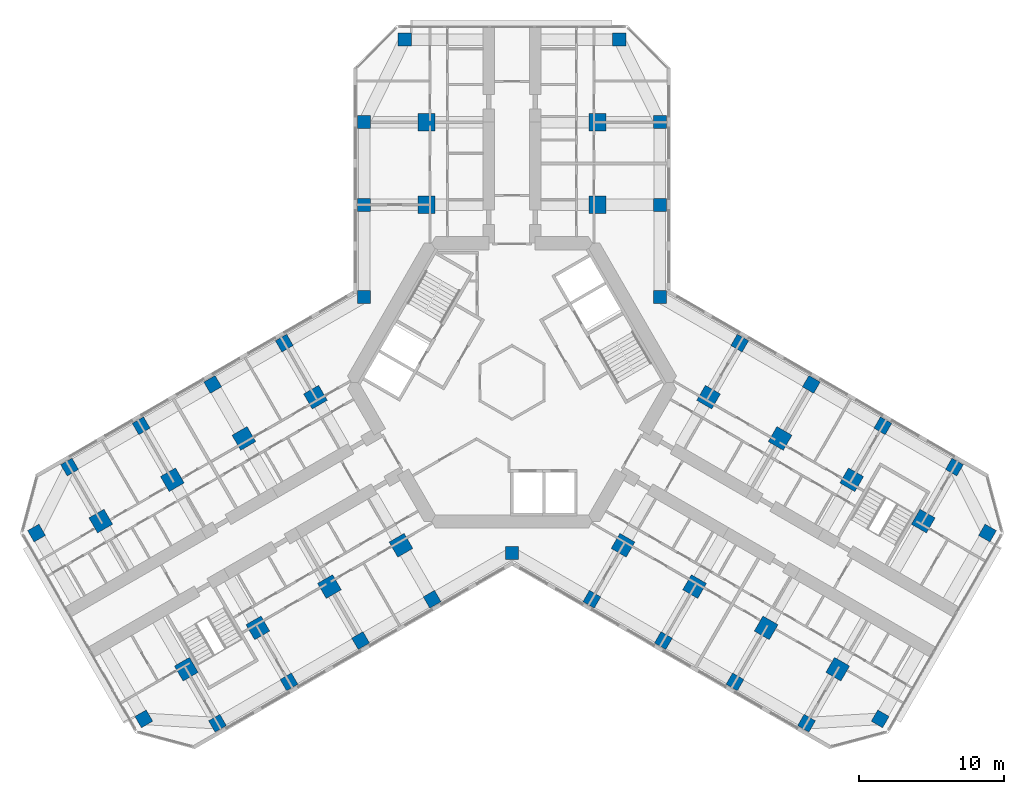
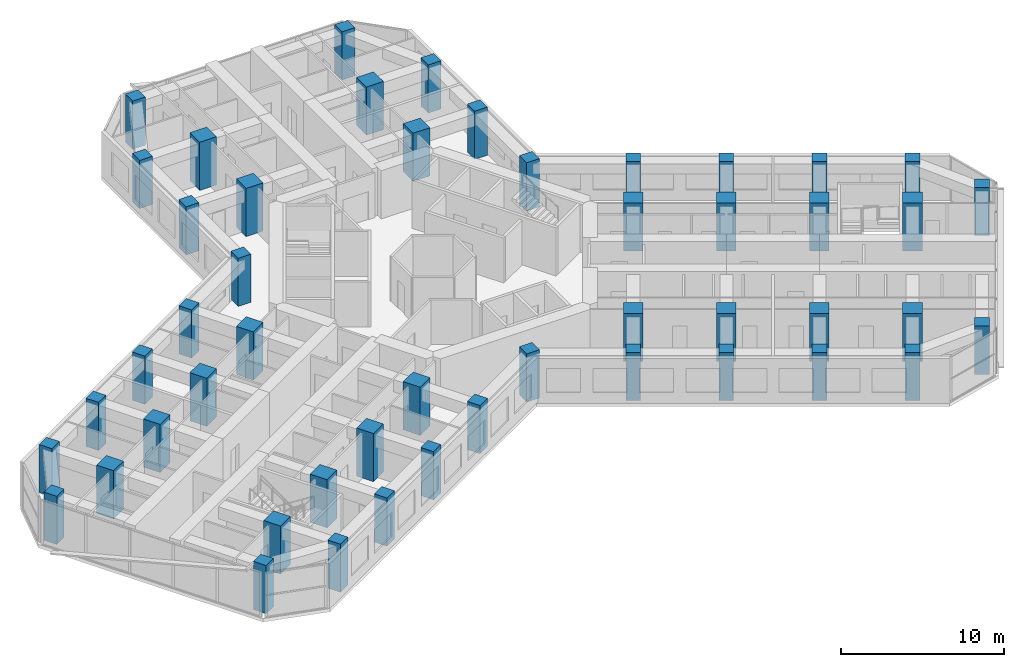
# One storey, part 1 of 20: 49 columns.
"""IFC4 building model written with IfcOpenShell, lengths in metres."""

from ifc_helpers import new_model, si_unit, direction, frame, origin, origin_2d, place, context, subcontext, project, spatial, rectangle, extrude, material, material_profile, profile_set, type_object, element, save


model = new_model("IFC4")

# Units and contexts
model_context = context("Model", 3, precision=1e-05, world=origin(), true_north=direction((0.0, 1.0)))
body_context = subcontext(model_context, "Body", "Model", "MODEL_VIEW")
ifc_project = project(units=[si_unit("LENGTHUNIT", "METRE"), si_unit("AREAUNIT", "SQUARE_METRE"), si_unit("VOLUMEUNIT", "CUBIC_METRE"), si_unit("PLANEANGLEUNIT", "RADIAN"), si_unit("MASSUNIT", "GRAM", prefix="KILO")], contexts=[model_context])

# Site, building, storey
site_placement = place(None, origin())
site = spatial("IfcSite", under=ifc_project, at=site_placement, CompositionType="ELEMENT")
building_placement = place(site_placement, origin())
building = spatial("IfcBuilding", under=site, at=building_placement, Name="Kosmar Iwan School Tower", CompositionType="ELEMENT")
storey_placement = place(building_placement, frame((0.0, 0.0, 131.0)))
storey = spatial("IfcBuildingStorey", under=building, at=storey_placement, Name="L32", CompositionType="ELEMENT", Elevation=131.0)

# Columns
ifc_material_1 = material(Name="Concrete C50/60", Category="concrete")
ifc_material_profile_1 = material_profile(ifc_material_1, rectangle(XDim=0.89990234375, YDim=0.89990234375, at=origin_2d()), Name="RC 900x900 + HD 400x634")
ifc_profile_set_1 = profile_set([ifc_material_profile_1], Name="Concrete C50/60")
column_type_1 = type_object("IfcColumnType", Name="Composite column 900x900 HD 400x634", PredefinedType="COLUMN", material=ifc_profile_set_1)
for number, where, z_axis, x_axis, name in (
    (1, (-10.199951171875, 12.25, 0.0), (0.0, 0.0, 1.0), (0.0, 1.0, 0.0), "Column AL1 L32"),
    (2, (-10.199951171875, 17.949951171875, 0.0), (0.0, 0.0, 1.0), (0.0, 1.0, 0.0), "Column AL2 L32"),
    (3, (-7.39990234375, 23.64990234375, 0.0), (0.0, 0.0, 1.0), (0.0, 1.0, 0.0), "Column ALTIP L32"),
    (4, (10.199951171875, 12.25, 0.0), (0.0, 0.0, 1.0), (0.0, 1.0, 0.0), "Column AR1 L32"),
    (5, (10.199951171875, 17.949951171875, 0.0), (0.0, 0.0, 1.0), (0.0, 1.0, 0.0), "Column AR2 L32"),
    (6, (7.39990234375, 23.64990234375, 0.0), (0.0, 0.0, 1.0), (0.0, 1.0, 0.0), "Column ARTIP L32"),
    (7, (-5.5087890625, -14.95849609375, 0.0), (0.0, 0.0, 1.0), (-0.866025403784, -0.5, 0.0), "Column BL1 L32"),
    (8, (-10.445068359375, -17.808349609375, 0.0), (0.0, 0.0, 1.0), (-0.866025403784, -0.5, 0.0), "Column BL2 L32"),
    (9, (-15.381591796875, -20.658447265625, 0.0), (0.0, 0.0, 1.0), (-0.866025403784, -0.5, 0.0), "Column BL3 L32"),
    (10, (-20.31787109375, -23.508544921875, 0.0), (0.0, 0.0, 1.0), (-0.866025403784, -0.5, 0.0), "Column BL4 L32"),
    (11, (-25.3984375, -23.20849609375, 0.0), (0.0, 0.0, 1.0), (-0.866025403784, -0.5, 0.0), "Column BLTIP L32"),
    (12, (-15.708740234375, 2.70849609375, 0.0), (0.0, 0.0, 1.0), (-0.866025403784, -0.5, 0.0), "Column BR1 L32"),
    (13, (-20.645263671875, -0.1416015625, 0.0), (0.0, 0.0, 1.0), (-0.866025403784, -0.5, 0.0), "Column BR2 L32"),
    (14, (-25.58154296875, -2.991455078125, 0.0), (0.0, 0.0, 1.0), (-0.866025403784, -0.5, 0.0), "Column BR3 L32"),
    (15, (-30.517822265625, -5.841552734375, 0.0), (0.0, 0.0, 1.0), (-0.866025403784, -0.5, 0.0), "Column BR4 L32"),
    (16, (-32.79833984375, -10.391357421875, 0.0), (0.0, 0.0, 1.0), (-0.866025403784, -0.5, 0.0), "Column BRTIP L32"),
    (17, (15.708740234375, 2.70849609375, 0.0), (0.0, 0.0, 1.0), (0.866025403784, -0.5, 0.0), "Column CL1 L32"),
    (18, (20.645263671875, -0.1416015625, 0.0), (0.0, 0.0, 1.0), (0.866025403784, -0.5, 0.0), "Column CL2 L32"),
    (19, (25.58154296875, -2.991455078125, 0.0), (0.0, 0.0, 1.0), (0.866025403784, -0.5, 0.0), "Column CL3 L32"),
    (20, (30.517822265625, -5.841552734375, 0.0), (0.0, 0.0, 1.0), (0.866025403784, -0.5, 0.0), "Column CL4 L32"),
    (21, (32.79833984375, -10.391357421875, 0.0), (0.0, 0.0, 1.0), (0.866025403784, -0.5, 0.0), "Column CLTIP L32"),
    (22, (5.5087890625, -14.95849609375, 0.0), (0.0, 0.0, 1.0), (0.866025403784, -0.5, 0.0), "Column CR1 L32"),
    (23, (10.445068359375, -17.808349609375, 0.0), (0.0, 0.0, 1.0), (0.866025403784, -0.5, 0.0), "Column CR2 L32"),
    (24, (15.381591796875, -20.658447265625, 0.0), (0.0, 0.0, 1.0), (0.866025403784, -0.5, 0.0), "Column CR3 L32"),
    (25, (20.31787109375, -23.508544921875, 0.0), (0.0, 0.0, 1.0), (0.866025403784, -0.5, 0.0), "Column CR4 L32"),
    (26, (25.3984375, -23.20849609375, 0.0), (0.0, 0.0, 1.0), (0.866025403784, -0.5, 0.0), "Column CRTIP L32"),
    (27, (-10.199951171875, 5.888916015625, 0.0), (0.0, 0.0, 1.0), (1.0, 0.0, 0.0), "Column RAB L32"),
    (28, (10.199951171875, 5.888916015625, 0.0), (0.0, 0.0, 1.0), (1.0, 0.0, 0.0), "Column RAC L32"),
    (29, (0.0, -11.77783203125, 0.0), (0.0, 0.0, 1.0), (1.0, 0.0, 0.0), "Column RBC L32"),
):
    element("IfcColumn", number, at=place(storey_placement, frame(where, z_axis=z_axis, x_axis=x_axis)), inside=storey, type_object=column_type_1, Name=name, PredefinedType="COLUMN", context=body_context, shape_type="SweptSolid", body=[
        extrude(rectangle(XDim=0.89990234375, YDim=0.89990234375, at=origin_2d()), origin(), (0.0, 0.0, 1.0), 3.60009765625),
    ])
ifc_material_2 = material(Name="Concrete C50/60", Category="concrete")
ifc_material_profile_2 = material_profile(ifc_material_2, rectangle(XDim=1.199951171875, YDim=1.199951171875, at=origin_2d()), Name="RC 1200x1200")
ifc_profile_set_2 = profile_set([ifc_material_profile_2], Name="Concrete C50/60")
column_type_2 = type_object("IfcColumnType", Name="RC interior column 1200x1200", PredefinedType="COLUMN", material=ifc_profile_set_2)
for number, where, z_axis, x_axis, name in (
    (30, (-5.89990234375, 12.25, 0.0), (0.0, 0.0, 1.0), (0.0, 1.0, 0.0), "Interior column ALI1 L32"),
    (31, (-5.89990234375, 17.949951171875, 0.0), (0.0, 0.0, 1.0), (0.0, 1.0, 0.0), "Interior column ALI2 L32"),
    (32, (5.89990234375, 12.25, 0.0), (0.0, 0.0, 1.0), (0.0, 1.0, 0.0), "Interior column ARI1 L32"),
    (33, (5.89990234375, 17.949951171875, 0.0), (0.0, 0.0, 1.0), (0.0, 1.0, 0.0), "Interior column ARI2 L32"),
    (34, (-7.65869140625, -11.234619140625, 0.0), (0.0, 0.0, 1.0), (-0.866025403784, -0.5, 0.0), "Interior column BLI1 L32"),
    (35, (-12.59521484375, -14.08447265625, 0.0), (0.0, 0.0, 1.0), (-0.866025403784, -0.5, 0.0), "Interior column BLI2 L32"),
    (36, (-17.531494140625, -16.9345703125, 0.0), (0.0, 0.0, 1.0), (-0.866025403784, -0.5, 0.0), "Interior column BLI3 L32"),
    (37, (-22.4677734375, -19.78466796875, 0.0), (0.0, 0.0, 1.0), (-0.866025403784, -0.5, 0.0), "Interior column BLI4 L32"),
    (38, (-13.558837890625, -1.015380859375, 0.0), (0.0, 0.0, 1.0), (-0.866025403784, -0.5, 0.0), "Interior column BRI1 L32"),
    (39, (-18.4951171875, -3.865478515625, 0.0), (0.0, 0.0, 1.0), (-0.866025403784, -0.5, 0.0), "Interior column BRI2 L32"),
    (40, (-23.431396484375, -6.71533203125, 0.0), (0.0, 0.0, 1.0), (-0.866025403784, -0.5, 0.0), "Interior column BRI3 L32"),
    (41, (-28.367919921875, -9.5654296875, 0.0), (0.0, 0.0, 1.0), (-0.866025403784, -0.5, 0.0), "Interior column BRI4 L32"),
    (42, (13.558837890625, -1.015380859375, 0.0), (0.0, 0.0, 1.0), (0.866025403784, -0.5, 0.0), "Interior column CLI1 L32"),
    (43, (18.4951171875, -3.865478515625, 0.0), (0.0, 0.0, 1.0), (0.866025403784, -0.5, 0.0), "Interior column CLI2 L32"),
    (44, (23.431396484375, -6.71533203125, 0.0), (0.0, 0.0, 1.0), (0.866025403784, -0.5, 0.0), "Interior column CLI3 L32"),
    (45, (28.367919921875, -9.5654296875, 0.0), (0.0, 0.0, 1.0), (0.866025403784, -0.5, 0.0), "Interior column CLI4 L32"),
    (46, (7.65869140625, -11.234619140625, 0.0), (0.0, 0.0, 1.0), (0.866025403784, -0.5, 0.0), "Interior column CRI1 L32"),
    (47, (12.59521484375, -14.08447265625, 0.0), (0.0, 0.0, 1.0), (0.866025403784, -0.5, 0.0), "Interior column CRI2 L32"),
    (48, (17.531494140625, -16.9345703125, 0.0), (0.0, 0.0, 1.0), (0.866025403784, -0.5, 0.0), "Interior column CRI3 L32"),
    (49, (22.4677734375, -19.78466796875, 0.0), (0.0, 0.0, 1.0), (0.866025403784, -0.5, 0.0), "Interior column CRI4 L32"),
):
    element("IfcColumn", number, at=place(storey_placement, frame(where, z_axis=z_axis, x_axis=x_axis)), inside=storey, type_object=column_type_2, Name=name, PredefinedType="COLUMN", context=body_context, shape_type="SweptSolid", body=[
        extrude(rectangle(XDim=1.199951171875, YDim=1.199951171875, at=origin_2d()), origin(), (0.0, 0.0, 1.0), 3.60009765625),
    ])

save(model, "model.ifc")
